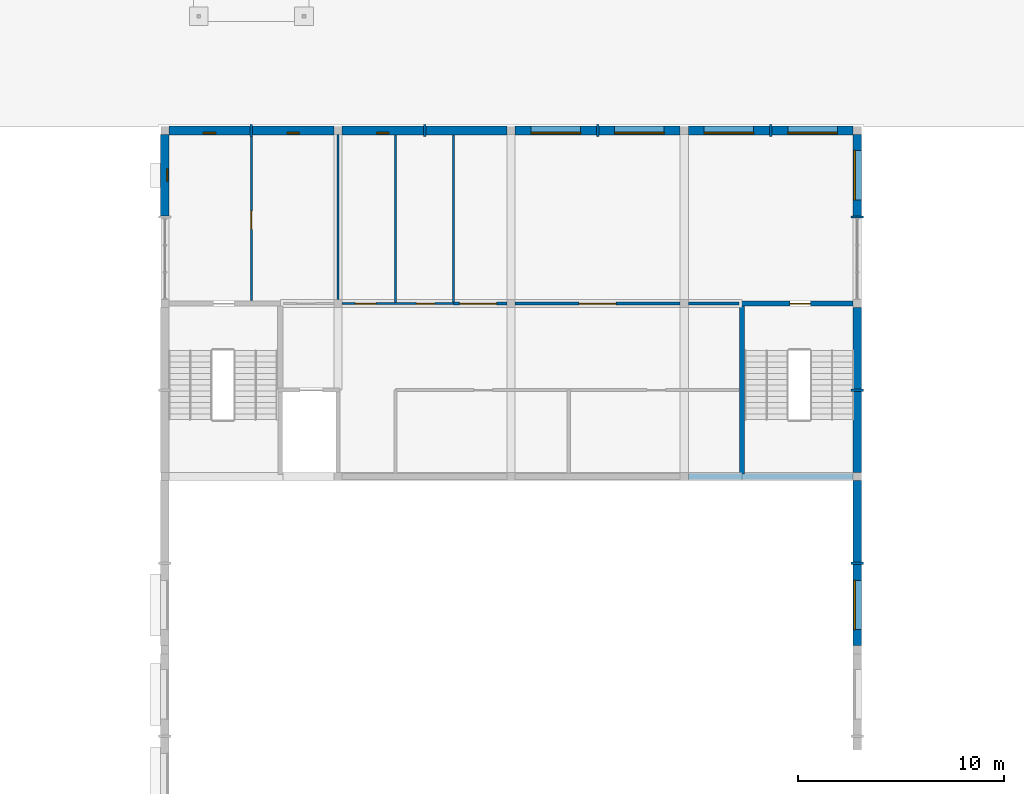
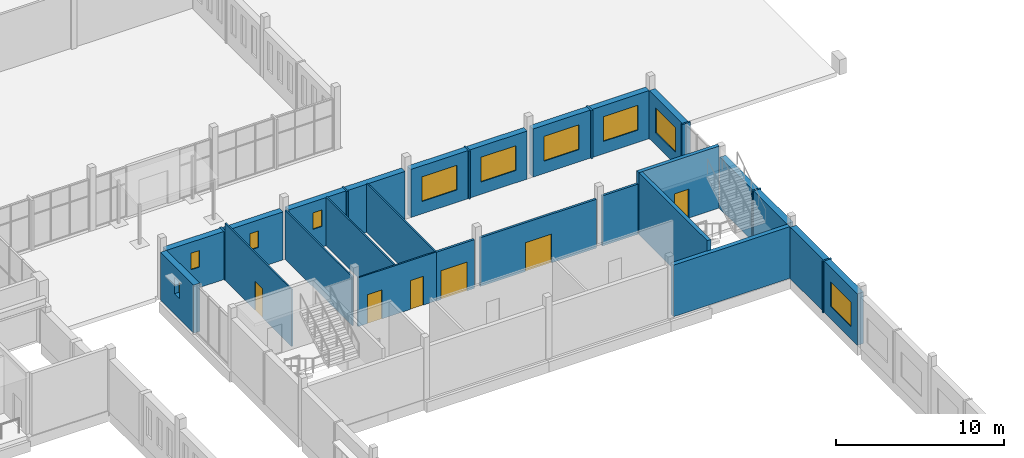
# One storey, part 46 of 60: 32 walls, 10 windows, 6 doors, 16 openings.
"""IFC4 building model written with IfcOpenShell, lengths in metres."""

from ifc_helpers import new_model, si_unit, direction, frame, frame_2d, origin, place, context, subcontext, project, spatial, rectangle, extrude, material, layer, layer_set, type_object, element, fill, save


model = new_model("IFC4")

# Units and contexts
model_context = context("Model", 3, precision=1e-05, world=origin(), true_north=direction((0.0, 1.0)))
body_context = subcontext(model_context, "Body", "Model", "MODEL_VIEW")
ifc_project = project(units=[si_unit("LENGTHUNIT", "METRE"), si_unit("AREAUNIT", "SQUARE_METRE"), si_unit("VOLUMEUNIT", "CUBIC_METRE"), si_unit("PLANEANGLEUNIT", "RADIAN"), si_unit("MASSUNIT", "GRAM", prefix="KILO")], contexts=[model_context])

# Site, building, storey
site_placement = place(None, origin())
site = spatial("IfcSite", under=ifc_project, at=site_placement, CompositionType="ELEMENT")
building_placement = place(site_placement, origin())
building = spatial("IfcBuilding", under=site, at=building_placement, Name="Fescue Hill Polytechnic", CompositionType="ELEMENT")
storey_placement = place(building_placement, frame((0.0, 0.0, 4.5)))
storey = spatial("IfcBuildingStorey", under=building, at=storey_placement, Name="L01", CompositionType="ELEMENT", Elevation=4.5)

# Wall, opening, door
ifc_material_1 = material(Name="Concrete 40 MPa", Category="concrete")
ifc_layer_1 = layer(ifc_material_1, 0.25)
ifc_layer_set_1 = layer_set([ifc_layer_1], Name="Concrete 40 MPa")
wall_type_1 = type_object("IfcWallType", Name="Core wall 250", PredefinedType="SHEAR", material=ifc_layer_set_1)
wall_1_placement = place(storey_placement, frame((153.875, 42.0, 0.0), z_axis=(0.0, 0.0, 1.0), x_axis=(1.0, 0.0, 0.0)))
wall_1 = element("IfcWall", 1, at=wall_1_placement, inside=storey, type_object=wall_type_1, Name="CW-L01-ST-V3-2-21", PredefinedType="SHEAR", context=body_context, shape_type="SweptSolid", body=[
    extrude(rectangle(XDim=5.52490234375, YDim=0.25, at=frame_2d((2.762451171875, 0.0))), origin(), (0.0, 0.0, 1.0), 4.5),
])
opening_1_placement = place(wall_1_placement, frame((2.449951171875, 0.0, 0.0)))
opening_1 = element("IfcOpeningElement", 2, at=opening_1_placement, cuts=wall_1, Name="Opening D1087", PredefinedType="OPENING", context=body_context, shape_type="SweptSolid", body=[
    extrude(rectangle(XDim=1.0, YDim=2.10009765625, at=frame_2d((0.5, 1.050048828125))), frame((0.0, 0.135009765625, 0.0), z_axis=(0.0, -1.0, 0.0), x_axis=(1.0, 0.0, 0.0)), (0.0, 0.0, 1.0), 0.27001953125),
])
ifc_material_2 = material(Name="Steel fire door", Category="steel")
door_type_1 = type_object("IfcDoorType", Name="Door single swing 1000x2100 stair fire rated", OperationType="NOTDEFINED", PredefinedType="DOOR", material=ifc_material_2)
door_1_placement = place(opening_1_placement, origin())
door_1 = element("IfcDoor", 3, at=door_1_placement, inside=storey, type_object=door_type_1, Name="L01 ST-V3-2 stair door", OperationType="SINGLE_SWING_RIGHT", OverallHeight=2.10009765625, OverallWidth=1.0, PredefinedType="DOOR", context=body_context, shape_type="SweptSolid", body=[
    extrude(rectangle(XDim=1.0, YDim=2.10009765625, at=frame_2d((0.5, 1.050048828125))), frame((0.0, 0.02490234375, 0.0), z_axis=(0.0, -1.0, 0.0), x_axis=(1.0, 0.0, 0.0)), (0.0, 0.0, 1.0), 0.050048828125),
])
fill(opening_1, door_1)

# Wall
wall_2_placement = place(storey_placement, frame((154.0, 33.72509765625, 0.0), z_axis=(0.0, 0.0, 1.0), x_axis=(0.0, 1.0, 0.0)))
element("IfcWall", 4, at=wall_2_placement, inside=storey, type_object=wall_type_1, Name="CW-L01-ST-V3-2-31", PredefinedType="SHEAR", context=body_context, shape_type="SweptSolid", body=[
    extrude(rectangle(XDim=8.14990234375, YDim=0.25, at=frame_2d((4.074951171875, 0.0))), origin(), (0.0, 0.0, 1.0), 4.5),
])

# Wall, opening, door
ifc_material_3 = material(Name="Gypsum board partition")
ifc_layer_2 = layer(ifc_material_3, 0.14990234375)
ifc_layer_set_2 = layer_set([ifc_layer_2], Name="Gypsum board partition")
wall_type_2 = type_object("IfcWallType", Name="Corridor wall 150 EI 45", PredefinedType="PARTITIONING", material=ifc_layer_set_2)
wall_3_placement = place(storey_placement, frame((140.0, 42.0, 0.0), z_axis=(0.0, 0.0, 1.0), x_axis=(1.0, 0.0, 0.0)))
wall_3 = element("IfcWall", 5, at=wall_3_placement, inside=storey, type_object=wall_type_2, Name="IW-L01-023", PredefinedType="PARTITIONING", context=body_context, shape_type="SweptSolid", body=[
    extrude(rectangle(XDim=2.60009765625, YDim=0.14990234375, at=frame_2d((1.300048828125, 0.0))), origin(), (0.0, 0.0, 1.0), 3.550048828125),
])
opening_2_placement = place(wall_3_placement, frame((0.300048828125, 0.0, 0.0)))
opening_2 = element("IfcOpeningElement", 6, at=opening_2_placement, cuts=wall_3, Name="Opening D1052", PredefinedType="OPENING", context=body_context, shape_type="SweptSolid", body=[
    extrude(rectangle(XDim=1.800048828125, YDim=2.10009765625, at=frame_2d((0.89990234375, 1.050048828125))), frame((0.0, 0.0849609375, 0.0), z_axis=(0.0, -1.0, 0.0), x_axis=(1.0, 0.0, 0.0)), (0.0, 0.0, 1.0), 0.169921875),
])
ifc_material_4 = material(Name="Timber", Category="wood")
door_type_2 = type_object("IfcDoorType", Name="Door double swing 1800x2100 FD30S", OperationType="DOUBLE_DOOR_SINGLE_SWING", PredefinedType="DOOR", material=ifc_material_4)
door_2_placement = place(opening_2_placement, origin())
door_2 = element("IfcDoor", 7, at=door_2_placement, inside=storey, type_object=door_type_2, Name="Door D1052", OperationType="DOUBLE_DOOR_SINGLE_SWING", OverallHeight=2.10009765625, OverallWidth=1.800048828125, PredefinedType="DOOR", context=body_context, shape_type="SweptSolid", body=[
    extrude(rectangle(XDim=1.800048828125, YDim=2.10009765625, at=frame_2d((0.89990234375, 1.050048828125))), frame((0.0, 0.02490234375, 0.0), z_axis=(0.0, -1.0, 0.0), x_axis=(1.0, 0.0, 0.0)), (0.0, 0.0, 1.0), 0.050048828125),
])
fill(opening_2, door_2)

wall_4_placement = place(storey_placement, frame((143.0, 42.0, 0.0), z_axis=(0.0, 0.0, 1.0), x_axis=(1.0, 0.0, 0.0)))
wall_4 = element("IfcWall", 8, at=wall_4_placement, inside=storey, type_object=wall_type_2, Name="IW-L01-024", PredefinedType="PARTITIONING", context=body_context, shape_type="SweptSolid", body=[
    extrude(rectangle(XDim=8.0, YDim=0.14990234375, at=frame_2d((4.0, 0.0))), origin(), (0.0, 0.0, 1.0), 3.550048828125),
])
opening_3_placement = place(wall_4_placement, frame((3.10009765625, 0.0, 0.0)))
opening_3 = element("IfcOpeningElement", 9, at=opening_3_placement, cuts=wall_4, Name="Opening D1051", PredefinedType="OPENING", context=body_context, shape_type="SweptSolid", body=[
    extrude(rectangle(XDim=1.800048828125, YDim=2.10009765625, at=frame_2d((0.89990234375, 1.050048828125))), frame((0.0, 0.0849609375, 0.0), z_axis=(0.0, -1.0, 0.0), x_axis=(1.0, 0.0, 0.0)), (0.0, 0.0, 1.0), 0.169921875),
])
door_3_placement = place(opening_3_placement, origin())
door_3 = element("IfcDoor", 10, at=door_3_placement, inside=storey, type_object=door_type_2, Name="Door D1051", OperationType="DOUBLE_DOOR_SINGLE_SWING", OverallHeight=2.10009765625, OverallWidth=1.800048828125, PredefinedType="DOOR", context=body_context, shape_type="SweptSolid", body=[
    extrude(rectangle(XDim=1.800048828125, YDim=2.10009765625, at=frame_2d((0.89990234375, 1.050048828125))), frame((0.0, 0.02490234375, 0.0), z_axis=(0.0, -1.0, 0.0), x_axis=(1.0, 0.0, 0.0)), (0.0, 0.0, 1.0), 0.050048828125),
])
fill(opening_3, door_3)

# Wall
wall_5_placement = place(storey_placement, frame((151.39990234375, 42.0, 0.0), z_axis=(0.0, 0.0, 1.0), x_axis=(1.0, 0.0, 0.0)))
element("IfcWall", 11, at=wall_5_placement, inside=storey, type_object=wall_type_2, Name="IW-L01-025", PredefinedType="PARTITIONING", context=body_context, shape_type="SweptSolid", body=[
    extrude(rectangle(XDim=2.4501953125, YDim=0.14990234375, at=frame_2d((1.22509765625, 0.0))), origin(), (0.0, 0.0, 1.0), 3.64990234375),
])

# Wall, opening, window
ifc_material_5 = material(Name="Clay brick masonry", Category="masonry")
ifc_layer_3 = layer(ifc_material_5, 0.419921875)
ifc_layer_set_3 = layer_set([ifc_layer_3], Name="Clay brick masonry")
wall_type_3 = type_object("IfcWallType", Name="Exterior wall buff-red brick cavity 420", PredefinedType="SOLIDWALL", material=ifc_layer_set_3)
wall_6_placement = place(storey_placement, frame((126.0, 50.199951171875, 0.0), z_axis=(0.0, 0.0, 1.0), x_axis=(0.0, -1.0, 0.0)))
wall_6 = element("IfcWall", 12, at=wall_6_placement, inside=storey, type_object=wall_type_3, Name="EW-L01-V3-1", PredefinedType="SOLIDWALL", context=body_context, shape_type="SweptSolid", body=[
    extrude(rectangle(XDim=3.93994140625, YDim=0.419921875, at=frame_2d((1.969970703125, 0.0))), origin(), (0.0, 0.0, 1.0), 3.5),
])
opening_4_placement = place(wall_6_placement, frame((1.669921875, 0.0, 1.5)))
opening_4 = element("IfcOpeningElement", 13, at=opening_4_placement, cuts=wall_6, Name="Opening W11", PredefinedType="OPENING", context=body_context, shape_type="SweptSolid", body=[
    extrude(rectangle(XDim=0.60009765625, YDim=1.199951171875, at=frame_2d((0.300048828125, 0.60009765625))), frame((0.0, 0.219970703125, 0.0), z_axis=(0.0, -1.0, 0.0), x_axis=(1.0, 0.0, 0.0)), (0.0, 0.0, 1.0), 0.43994140625),
])
ifc_material_6 = material(Name="Powder-coated aluminium and glass", Category="aluminium")
window_type_1 = type_object("IfcWindowType", Name="Window WC high-level 600x1200", PartitioningType="SINGLE_PANEL", PredefinedType="WINDOW", material=ifc_material_6)
window_1_placement = place(opening_4_placement, origin())
window_1 = element("IfcWindow", 14, at=window_1_placement, inside=storey, type_object=window_type_1, Name="WN-L01-V3-1", OverallHeight=1.199951171875, OverallWidth=0.60009765625, PartitioningType="SINGLE_PANEL", PredefinedType="WINDOW", context=body_context, shape_type="SweptSolid", body=[
    extrude(rectangle(XDim=0.60009765625, YDim=1.199951171875, at=frame_2d((0.300048828125, 0.60009765625))), frame((0.0, 0.150146484375, 0.0), z_axis=(0.0, -1.0, 0.0), x_axis=(1.0, 0.0, 0.0)), (0.0, 0.0, 1.0), 0.06005859375),
])
fill(opening_4, window_1)

wall_7_placement = place(storey_placement, frame((159.60009765625, 46.260009765625, 0.0), z_axis=(0.0, 0.0, 1.0), x_axis=(0.0, 1.0, 0.0)))
wall_7 = element("IfcWall", 15, at=wall_7_placement, inside=storey, type_object=wall_type_3, Name="EW-L01-V3-12", PredefinedType="SOLIDWALL", context=body_context, shape_type="SweptSolid", body=[
    extrude(rectangle(XDim=3.93994140625, YDim=0.419921875, at=frame_2d((1.969970703125, 0.0))), origin(), (0.0, 0.0, 1.0), 3.5),
])
opening_5_placement = place(wall_7_placement, frame((0.77001953125, 0.0, 0.89990234375)))
opening_5 = element("IfcOpeningElement", 16, at=opening_5_placement, cuts=wall_7, Name="Opening W8", PredefinedType="OPENING", context=body_context, shape_type="SweptSolid", body=[
    extrude(rectangle(XDim=2.39990234375, YDim=1.800048828125, at=frame_2d((1.199951171875, 0.89990234375))), frame((0.0, 0.219970703125, 0.0), z_axis=(0.0, -1.0, 0.0), x_axis=(1.0, 0.0, 0.0)), (0.0, 0.0, 1.0), 0.43994140625),
])
window_type_2 = type_object("IfcWindowType", Name="Window union 2400x1800", PartitioningType="TRIPLE_PANEL_VERTICAL", PredefinedType="WINDOW", material=ifc_material_6)
window_2_placement = place(opening_5_placement, origin())
window_2 = element("IfcWindow", 17, at=window_2_placement, inside=storey, type_object=window_type_2, Name="WN-L01-V3-2", OverallHeight=1.800048828125, OverallWidth=2.39990234375, PartitioningType="SINGLE_PANEL", PredefinedType="WINDOW", context=body_context, shape_type="SweptSolid", body=[
    extrude(rectangle(XDim=2.39990234375, YDim=1.800048828125, at=frame_2d((1.199951171875, 0.89990234375))), frame((0.0, 0.150146484375, 0.0), z_axis=(0.0, -1.0, 0.0), x_axis=(1.0, 0.0, 0.0)), (0.0, 0.0, 1.0), 0.06005859375),
])
fill(opening_5, window_2)

wall_8_placement = place(storey_placement, frame((159.39990234375, 50.39990234375, 0.0), z_axis=(0.0, 0.0, 1.0), x_axis=(-1.0, 0.0, 0.0)))
wall_8 = element("IfcWall", 18, at=wall_8_placement, inside=storey, type_object=wall_type_3, Name="EW-L01-V3-13", PredefinedType="SOLIDWALL", context=body_context, shape_type="SweptSolid", body=[
    extrude(rectangle(XDim=3.93994140625, YDim=0.419921875, at=frame_2d((1.969970703125, 0.0))), origin(), (0.0, 0.0, 1.0), 3.5),
])
opening_6_placement = place(wall_8_placement, frame((0.77001953125, 0.0, 0.89990234375)))
opening_6 = element("IfcOpeningElement", 19, at=opening_6_placement, cuts=wall_8, Name="Opening W8", PredefinedType="OPENING", context=body_context, shape_type="SweptSolid", body=[
    extrude(rectangle(XDim=2.39990234375, YDim=1.800048828125, at=frame_2d((1.199951171875, 0.89990234375))), frame((0.0, 0.219970703125, 0.0), z_axis=(0.0, -1.0, 0.0), x_axis=(1.0, 0.0, 0.0)), (0.0, 0.0, 1.0), 0.43994140625),
])
window_3_placement = place(opening_6_placement, origin())
window_3 = element("IfcWindow", 20, at=window_3_placement, inside=storey, type_object=window_type_2, Name="WN-L01-V3-3", OverallHeight=1.800048828125, OverallWidth=2.39990234375, PartitioningType="SINGLE_PANEL", PredefinedType="WINDOW", context=body_context, shape_type="SweptSolid", body=[
    extrude(rectangle(XDim=2.39990234375, YDim=1.800048828125, at=frame_2d((1.199951171875, 0.89990234375))), frame((0.0, 0.150146484375, 0.0), z_axis=(0.0, -1.0, 0.0), x_axis=(1.0, 0.0, 0.0)), (0.0, 0.0, 1.0), 0.06005859375),
])
fill(opening_6, window_3)

wall_9_placement = place(storey_placement, frame((155.340087890625, 50.39990234375, 0.0), z_axis=(0.0, 0.0, 1.0), x_axis=(-1.0, 0.0, 0.0)))
wall_9 = element("IfcWall", 21, at=wall_9_placement, inside=storey, type_object=wall_type_3, Name="EW-L01-V3-14", PredefinedType="SOLIDWALL", context=body_context, shape_type="SweptSolid", body=[
    extrude(rectangle(XDim=3.940185546875, YDim=0.419921875, at=frame_2d((1.97021484375, 0.0))), origin(), (0.0, 0.0, 1.0), 3.5),
])
opening_7_placement = place(wall_9_placement, frame((0.77001953125, 0.0, 0.89990234375)))
opening_7 = element("IfcOpeningElement", 22, at=opening_7_placement, cuts=wall_9, Name="Opening W8", PredefinedType="OPENING", context=body_context, shape_type="SweptSolid", body=[
    extrude(rectangle(XDim=2.39990234375, YDim=1.800048828125, at=frame_2d((1.199951171875, 0.89990234375))), frame((0.0, 0.219970703125, 0.0), z_axis=(0.0, -1.0, 0.0), x_axis=(1.0, 0.0, 0.0)), (0.0, 0.0, 1.0), 0.43994140625),
])
window_4_placement = place(opening_7_placement, origin())
window_4 = element("IfcWindow", 23, at=window_4_placement, inside=storey, type_object=window_type_2, Name="WN-L01-V3-4", OverallHeight=1.800048828125, OverallWidth=2.39990234375, PartitioningType="SINGLE_PANEL", PredefinedType="WINDOW", context=body_context, shape_type="SweptSolid", body=[
    extrude(rectangle(XDim=2.39990234375, YDim=1.800048828125, at=frame_2d((1.199951171875, 0.89990234375))), frame((0.0, 0.150146484375, 0.0), z_axis=(0.0, -1.0, 0.0), x_axis=(1.0, 0.0, 0.0)), (0.0, 0.0, 1.0), 0.06005859375),
])
fill(opening_7, window_4)

wall_10_placement = place(storey_placement, frame((151.0, 50.39990234375, 0.0), z_axis=(0.0, 0.0, 1.0), x_axis=(-1.0, 0.0, 0.0)))
wall_10 = element("IfcWall", 24, at=wall_10_placement, inside=storey, type_object=wall_type_3, Name="EW-L01-V3-15", PredefinedType="SOLIDWALL", context=body_context, shape_type="SweptSolid", body=[
    extrude(rectangle(XDim=3.93994140625, YDim=0.419921875, at=frame_2d((1.969970703125, 0.0))), origin(), (0.0, 0.0, 1.0), 3.5),
])
opening_8_placement = place(wall_10_placement, frame((0.77001953125, 0.0, 0.89990234375)))
opening_8 = element("IfcOpeningElement", 25, at=opening_8_placement, cuts=wall_10, Name="Opening W8", PredefinedType="OPENING", context=body_context, shape_type="SweptSolid", body=[
    extrude(rectangle(XDim=2.39990234375, YDim=1.800048828125, at=frame_2d((1.199951171875, 0.89990234375))), frame((0.0, 0.219970703125, 0.0), z_axis=(0.0, -1.0, 0.0), x_axis=(1.0, 0.0, 0.0)), (0.0, 0.0, 1.0), 0.43994140625),
])
window_5_placement = place(opening_8_placement, origin())
window_5 = element("IfcWindow", 26, at=window_5_placement, inside=storey, type_object=window_type_2, Name="WN-L01-V3-5", OverallHeight=1.800048828125, OverallWidth=2.39990234375, PartitioningType="SINGLE_PANEL", PredefinedType="WINDOW", context=body_context, shape_type="SweptSolid", body=[
    extrude(rectangle(XDim=2.39990234375, YDim=1.800048828125, at=frame_2d((1.199951171875, 0.89990234375))), frame((0.0, 0.150146484375, 0.0), z_axis=(0.0, -1.0, 0.0), x_axis=(1.0, 0.0, 0.0)), (0.0, 0.0, 1.0), 0.06005859375),
])
fill(opening_8, window_5)

wall_11_placement = place(storey_placement, frame((146.93994140625, 50.39990234375, 0.0), z_axis=(0.0, 0.0, 1.0), x_axis=(-1.0, 0.0, 0.0)))
wall_11 = element("IfcWall", 27, at=wall_11_placement, inside=storey, type_object=wall_type_3, Name="EW-L01-V3-16", PredefinedType="SOLIDWALL", context=body_context, shape_type="SweptSolid", body=[
    extrude(rectangle(XDim=3.93994140625, YDim=0.419921875, at=frame_2d((1.969970703125, 0.0))), origin(), (0.0, 0.0, 1.0), 3.5),
])
opening_9_placement = place(wall_11_placement, frame((0.77001953125, 0.0, 0.89990234375)))
opening_9 = element("IfcOpeningElement", 28, at=opening_9_placement, cuts=wall_11, Name="Opening W8", PredefinedType="OPENING", context=body_context, shape_type="SweptSolid", body=[
    extrude(rectangle(XDim=2.39990234375, YDim=1.800048828125, at=frame_2d((1.199951171875, 0.89990234375))), frame((0.0, 0.219970703125, 0.0), z_axis=(0.0, -1.0, 0.0), x_axis=(1.0, 0.0, 0.0)), (0.0, 0.0, 1.0), 0.43994140625),
])
window_6_placement = place(opening_9_placement, origin())
window_6 = element("IfcWindow", 29, at=window_6_placement, inside=storey, type_object=window_type_2, Name="WN-L01-V3-6", OverallHeight=1.800048828125, OverallWidth=2.39990234375, PartitioningType="SINGLE_PANEL", PredefinedType="WINDOW", context=body_context, shape_type="SweptSolid", body=[
    extrude(rectangle(XDim=2.39990234375, YDim=1.800048828125, at=frame_2d((1.199951171875, 0.89990234375))), frame((0.0, 0.150146484375, 0.0), z_axis=(0.0, -1.0, 0.0), x_axis=(1.0, 0.0, 0.0)), (0.0, 0.0, 1.0), 0.06005859375),
])
fill(opening_9, window_6)

# Wall
wall_12_placement = place(storey_placement, frame((142.60009765625, 50.39990234375, 0.0), z_axis=(0.0, 0.0, 1.0), x_axis=(-1.0, 0.0, 0.0)))
element("IfcWall", 30, at=wall_12_placement, inside=storey, type_object=wall_type_3, Name="EW-L01-V3-17", PredefinedType="SOLIDWALL", context=body_context, shape_type="SweptSolid", body=[
    extrude(rectangle(XDim=3.940185546875, YDim=0.419921875, at=frame_2d((1.97021484375, 0.0))), origin(), (0.0, 0.0, 1.0), 3.5),
])

# Wall, opening, window
wall_13_placement = place(storey_placement, frame((138.5400390625, 50.39990234375, 0.0), z_axis=(0.0, 0.0, 1.0), x_axis=(-1.0, 0.0, 0.0)))
wall_13 = element("IfcWall", 31, at=wall_13_placement, inside=storey, type_object=wall_type_3, Name="EW-L01-V3-18", PredefinedType="SOLIDWALL", context=body_context, shape_type="SweptSolid", body=[
    extrude(rectangle(XDim=3.93994140625, YDim=0.419921875, at=frame_2d((1.969970703125, 0.0))), origin(), (0.0, 0.0, 1.0), 3.5),
])
opening_10_placement = place(wall_13_placement, frame((1.669921875, 0.0, 1.5)))
opening_10 = element("IfcOpeningElement", 32, at=opening_10_placement, cuts=wall_13, Name="Opening W11", PredefinedType="OPENING", context=body_context, shape_type="SweptSolid", body=[
    extrude(rectangle(XDim=0.60009765625, YDim=1.199951171875, at=frame_2d((0.300048828125, 0.60009765625))), frame((0.0, 0.219970703125, 0.0), z_axis=(0.0, -1.0, 0.0), x_axis=(1.0, 0.0, 0.0)), (0.0, 0.0, 1.0), 0.43994140625),
])
window_7_placement = place(opening_10_placement, origin())
window_7 = element("IfcWindow", 33, at=window_7_placement, inside=storey, type_object=window_type_1, Name="WN-L01-V3-7", OverallHeight=1.199951171875, OverallWidth=0.60009765625, PartitioningType="SINGLE_PANEL", PredefinedType="WINDOW", context=body_context, shape_type="SweptSolid", body=[
    extrude(rectangle(XDim=0.60009765625, YDim=1.199951171875, at=frame_2d((0.300048828125, 0.60009765625))), frame((0.0, 0.150146484375, 0.0), z_axis=(0.0, -1.0, 0.0), x_axis=(1.0, 0.0, 0.0)), (0.0, 0.0, 1.0), 0.06005859375),
])
fill(opening_10, window_7)

wall_14_placement = place(storey_placement, frame((134.199951171875, 50.39990234375, 0.0), z_axis=(0.0, 0.0, 1.0), x_axis=(-1.0, 0.0, 0.0)))
wall_14 = element("IfcWall", 34, at=wall_14_placement, inside=storey, type_object=wall_type_3, Name="EW-L01-V3-19", PredefinedType="SOLIDWALL", context=body_context, shape_type="SweptSolid", body=[
    extrude(rectangle(XDim=3.93994140625, YDim=0.419921875, at=frame_2d((1.969970703125, 0.0))), origin(), (0.0, 0.0, 1.0), 3.5),
])
opening_11_placement = place(wall_14_placement, frame((1.669921875, 0.0, 1.5)))
opening_11 = element("IfcOpeningElement", 35, at=opening_11_placement, cuts=wall_14, Name="Opening W11", PredefinedType="OPENING", context=body_context, shape_type="SweptSolid", body=[
    extrude(rectangle(XDim=0.60009765625, YDim=1.199951171875, at=frame_2d((0.300048828125, 0.60009765625))), frame((0.0, 0.219970703125, 0.0), z_axis=(0.0, -1.0, 0.0), x_axis=(1.0, 0.0, 0.0)), (0.0, 0.0, 1.0), 0.43994140625),
])
window_8_placement = place(opening_11_placement, origin())
window_8 = element("IfcWindow", 36, at=window_8_placement, inside=storey, type_object=window_type_1, Name="WN-L01-V3-8", OverallHeight=1.199951171875, OverallWidth=0.60009765625, PartitioningType="SINGLE_PANEL", PredefinedType="WINDOW", context=body_context, shape_type="SweptSolid", body=[
    extrude(rectangle(XDim=0.60009765625, YDim=1.199951171875, at=frame_2d((0.300048828125, 0.60009765625))), frame((0.0, 0.150146484375, 0.0), z_axis=(0.0, -1.0, 0.0), x_axis=(1.0, 0.0, 0.0)), (0.0, 0.0, 1.0), 0.06005859375),
])
fill(opening_11, window_8)

wall_15_placement = place(storey_placement, frame((130.139892578125, 50.39990234375, 0.0), z_axis=(0.0, 0.0, 1.0), x_axis=(-1.0, 0.0, 0.0)))
wall_15 = element("IfcWall", 37, at=wall_15_placement, inside=storey, type_object=wall_type_3, Name="EW-L01-V3-20", PredefinedType="SOLIDWALL", context=body_context, shape_type="SweptSolid", body=[
    extrude(rectangle(XDim=3.93994140625, YDim=0.419921875, at=frame_2d((1.969970703125, 0.0))), origin(), (0.0, 0.0, 1.0), 3.5),
])
opening_12_placement = place(wall_15_placement, frame((1.669921875, 0.0, 1.5)))
opening_12 = element("IfcOpeningElement", 38, at=opening_12_placement, cuts=wall_15, Name="Opening W11", PredefinedType="OPENING", context=body_context, shape_type="SweptSolid", body=[
    extrude(rectangle(XDim=0.60009765625, YDim=1.199951171875, at=frame_2d((0.300048828125, 0.60009765625))), frame((0.0, 0.219970703125, 0.0), z_axis=(0.0, -1.0, 0.0), x_axis=(1.0, 0.0, 0.0)), (0.0, 0.0, 1.0), 0.43994140625),
])
window_9_placement = place(opening_12_placement, origin())
window_9 = element("IfcWindow", 39, at=window_9_placement, inside=storey, type_object=window_type_1, Name="WN-L01-V3-9", OverallHeight=1.199951171875, OverallWidth=0.60009765625, PartitioningType="SINGLE_PANEL", PredefinedType="WINDOW", context=body_context, shape_type="SweptSolid", body=[
    extrude(rectangle(XDim=0.60009765625, YDim=1.199951171875, at=frame_2d((0.300048828125, 0.60009765625))), frame((0.0, 0.150146484375, 0.0), z_axis=(0.0, -1.0, 0.0), x_axis=(1.0, 0.0, 0.0)), (0.0, 0.0, 1.0), 0.06005859375),
])
fill(opening_12, window_9)

wall_16_placement = place(storey_placement, frame((159.60009765625, 25.39990234375, 0.0), z_axis=(0.0, 0.0, 1.0), x_axis=(0.0, 1.0, 0.0)))
wall_16 = element("IfcWall", 40, at=wall_16_placement, inside=storey, type_object=wall_type_3, Name="EW-L01-V3-31", PredefinedType="SOLIDWALL", context=body_context, shape_type="SweptSolid", body=[
    extrude(rectangle(XDim=3.940185546875, YDim=0.419921875, at=frame_2d((1.97021484375, 0.0))), origin(), (0.0, 0.0, 1.0), 3.75),
])
opening_13_placement = place(wall_16_placement, frame((0.77001953125, 0.0, 0.89990234375)))
opening_13 = element("IfcOpeningElement", 41, at=opening_13_placement, cuts=wall_16, Name="Opening W8", PredefinedType="OPENING", context=body_context, shape_type="SweptSolid", body=[
    extrude(rectangle(XDim=2.39990234375, YDim=1.800048828125, at=frame_2d((1.199951171875, 0.89990234375))), frame((0.0, 0.219970703125, 0.0), z_axis=(0.0, -1.0, 0.0), x_axis=(1.0, 0.0, 0.0)), (0.0, 0.0, 1.0), 0.43994140625),
])
window_10_placement = place(opening_13_placement, origin())
window_10 = element("IfcWindow", 42, at=window_10_placement, inside=storey, type_object=window_type_2, Name="WN-L01-V3-19", OverallHeight=1.800048828125, OverallWidth=2.39990234375, PartitioningType="SINGLE_PANEL", PredefinedType="WINDOW", context=body_context, shape_type="SweptSolid", body=[
    extrude(rectangle(XDim=2.39990234375, YDim=1.800048828125, at=frame_2d((1.199951171875, 0.89990234375))), frame((0.0, 0.150146484375, 0.0), z_axis=(0.0, -1.0, 0.0), x_axis=(1.0, 0.0, 0.0)), (0.0, 0.0, 1.0), 0.06005859375),
])
fill(opening_13, window_10)

# Walls
wall_17_placement = place(storey_placement, frame((159.60009765625, 29.4599609375, 0.0), z_axis=(0.0, 0.0, 1.0), x_axis=(0.0, 1.0, 0.0)))
element("IfcWall", 43, at=wall_17_placement, inside=storey, type_object=wall_type_3, Name="EW-L01-V3-32", PredefinedType="SOLIDWALL", context=body_context, shape_type="SweptSolid", body=[
    extrude(rectangle(XDim=3.93994140625, YDim=0.419921875, at=frame_2d((1.969970703125, 0.0))), origin(), (0.0, 0.0, 1.0), 3.75),
])
ifc_layer_4 = layer(ifc_material_5, 0.419921875)
ifc_layer_set_4 = layer_set([ifc_layer_4], Name="Clay brick masonry")
wall_type_4 = type_object("IfcWallType", Name="Exterior wall buff-red brick cavity 420 load-bearing", PredefinedType="SOLIDWALL", material=ifc_layer_set_4)
for number, where, z_axis, x_axis, name in (
    (44, (159.60009765625, 33.800048828125, 0.0), (0.0, 0.0, 1.0), (0.0, 1.0, 0.0), "EW-L01-V3-9"),
    (45, (159.60009765625, 37.860107421875, 0.0), (0.0, 0.0, 1.0), (0.0, 1.0, 0.0), "EW-L01-V3-10"),
):
    element("IfcWall", number, at=place(storey_placement, frame(where, z_axis=z_axis, x_axis=x_axis)), inside=storey, type_object=wall_type_4, Name=name, PredefinedType="SOLIDWALL", context=body_context, shape_type="SweptSolid", body=[
        extrude(rectangle(XDim=3.93994140625, YDim=0.419921875, at=frame_2d((1.969970703125, 0.0))), origin(), (0.0, 0.0, 1.0), 3.75),
    ])
ifc_layer_5 = layer(ifc_material_1, 0.300048828125)
ifc_layer_set_5 = layer_set([ifc_layer_5], Name="Concrete 40 MPa")
wall_type_5 = type_object("IfcWallType", Name="Hall wall concrete 300 load-bearing REI 120", PredefinedType="SOLIDWALL", material=ifc_layer_set_5)
wall_18_placement = place(storey_placement, frame((151.39990234375, 33.60009765625, 0.0), z_axis=(0.0, 0.0, 1.0), x_axis=(1.0, 0.0, 0.0)))
element("IfcWall", 46, at=wall_18_placement, inside=storey, type_object=wall_type_5, Name="EW-L01-V3-8", PredefinedType="SOLIDWALL", context=body_context, shape_type="SweptSolid", body=[
    extrude(rectangle(XDim=8.0, YDim=0.300048828125, at=frame_2d((4.0, 0.0))), origin(), (0.0, 0.0, 1.0), 3.75),
])
ifc_material_7 = material(Name="Glulam 24f-EX", Category="wood")
ifc_layer_6 = layer(ifc_material_7, 0.60009765625)
ifc_layer_set_6 = layer_set([ifc_layer_6], Name="Glulam 24f-EX")
wall_type_6 = type_object("IfcWallType", Name="Timber fin 120x600", PredefinedType="SOLIDWALL", material=ifc_layer_set_6)
wall_19_placement = place(storey_placement, frame((159.60009765625, 37.739990234375, 0.0), z_axis=(0.0, 0.0, 1.0), x_axis=(0.0, 1.0, 0.0)))
element("IfcWall", 47, at=wall_19_placement, inside=storey, type_object=wall_type_6, Name="PR-L01-V3-3", PredefinedType="SOLIDWALL", context=body_context, shape_type="SweptSolid", body=[
    extrude(rectangle(XDim=0.1201171875, YDim=0.60009765625, at=frame_2d((0.06005859375, 0.0))), origin(), (0.0, 0.0, 1.0), 3.75),
])
wall_20_placement = place(storey_placement, frame((159.60009765625, 46.139892578125, 0.0), z_axis=(0.0, 0.0, 1.0), x_axis=(0.0, 1.0, 0.0)))
element("IfcWall", 48, at=wall_20_placement, inside=storey, type_object=wall_type_6, Name="PR-L01-V3-4", PredefinedType="SOLIDWALL", context=body_context, shape_type="SweptSolid", body=[
    extrude(rectangle(XDim=0.1201171875, YDim=0.60009765625, at=frame_2d((0.06005859375, 0.0))), origin(), (0.0, 0.0, 1.0), 3.5),
])
wall_21_placement = place(storey_placement, frame((155.4599609375, 50.39990234375, 0.0), z_axis=(0.0, 0.0, 1.0), x_axis=(-1.0, 0.0, 0.0)))
element("IfcWall", 49, at=wall_21_placement, inside=storey, type_object=wall_type_6, Name="PR-L01-V3-5", PredefinedType="SOLIDWALL", context=body_context, shape_type="SweptSolid", body=[
    extrude(rectangle(XDim=0.119873046875, YDim=0.60009765625, at=frame_2d((0.06005859375, 0.0))), origin(), (0.0, 0.0, 1.0), 3.5),
])
wall_22_placement = place(storey_placement, frame((147.06005859375, 50.39990234375, 0.0), z_axis=(0.0, 0.0, 1.0), x_axis=(-1.0, 0.0, 0.0)))
element("IfcWall", 50, at=wall_22_placement, inside=storey, type_object=wall_type_6, Name="PR-L01-V3-6", PredefinedType="SOLIDWALL", context=body_context, shape_type="SweptSolid", body=[
    extrude(rectangle(XDim=0.1201171875, YDim=0.60009765625, at=frame_2d((0.06005859375, 0.0))), origin(), (0.0, 0.0, 1.0), 3.5),
])
wall_23_placement = place(storey_placement, frame((138.659912109375, 50.39990234375, 0.0), z_axis=(0.0, 0.0, 1.0), x_axis=(-1.0, 0.0, 0.0)))
element("IfcWall", 51, at=wall_23_placement, inside=storey, type_object=wall_type_6, Name="PR-L01-V3-7", PredefinedType="SOLIDWALL", context=body_context, shape_type="SweptSolid", body=[
    extrude(rectangle(XDim=0.119873046875, YDim=0.60009765625, at=frame_2d((0.06005859375, 0.0))), origin(), (0.0, 0.0, 1.0), 3.5),
])
wall_24_placement = place(storey_placement, frame((130.260009765625, 50.39990234375, 0.0), z_axis=(0.0, 0.0, 1.0), x_axis=(-1.0, 0.0, 0.0)))
element("IfcWall", 52, at=wall_24_placement, inside=storey, type_object=wall_type_6, Name="PR-L01-V3-8", PredefinedType="SOLIDWALL", context=body_context, shape_type="SweptSolid", body=[
    extrude(rectangle(XDim=0.1201171875, YDim=0.60009765625, at=frame_2d((0.06005859375, 0.0))), origin(), (0.0, 0.0, 1.0), 3.5),
])
wall_25_placement = place(storey_placement, frame((159.60009765625, 29.340087890625, 0.0), z_axis=(0.0, 0.0, 1.0), x_axis=(0.0, 1.0, 0.0)))
element("IfcWall", 53, at=wall_25_placement, inside=storey, type_object=wall_type_6, Name="PR-L01-V3-14", PredefinedType="SOLIDWALL", context=body_context, shape_type="SweptSolid", body=[
    extrude(rectangle(XDim=0.119873046875, YDim=0.60009765625, at=frame_2d((0.06005859375, 0.0))), origin(), (0.0, 0.0, 1.0), 3.75),
])

# Wall, openings, doors
ifc_layer_7 = layer(ifc_material_3, 0.10009765625)
ifc_layer_set_7 = layer_set([ifc_layer_7], Name="Gypsum board partition")
wall_type_7 = type_object("IfcWallType", Name="WC partition 100 moisture resistant", PredefinedType="PARTITIONING", material=ifc_layer_set_7)
wall_26_placement = place(storey_placement, frame((134.60009765625, 42.0, 0.0), z_axis=(0.0, 0.0, 1.0), x_axis=(1.0, 0.0, 0.0)))
wall_26 = element("IfcWall", 54, at=wall_26_placement, inside=storey, type_object=wall_type_7, Name="IW-L01-027", PredefinedType="PARTITIONING", context=body_context, shape_type="SweptSolid", body=[
    extrude(rectangle(XDim=5.39990234375, YDim=0.10009765625, at=frame_2d((2.699951171875, 0.0))), origin(), (0.0, 0.0, 1.0), 3.550048828125),
])
opening_14_placement = place(wall_26_placement, frame((0.64990234375, 0.0, 0.0)))
opening_14 = element("IfcOpeningElement", 55, at=opening_14_placement, cuts=wall_26, Name="Opening D1049", PredefinedType="OPENING", context=body_context, shape_type="SweptSolid", body=[
    extrude(rectangle(XDim=1.0, YDim=2.10009765625, at=frame_2d((0.5, 1.050048828125))), frame((0.0, 0.06005859375, 0.0), z_axis=(0.0, -1.0, 0.0), x_axis=(1.0, 0.0, 0.0)), (0.0, 0.0, 1.0), 0.1201171875),
])
opening_15_placement = place(wall_26_placement, frame((3.60009765625, 0.0, 0.0)))
opening_15 = element("IfcOpeningElement", 56, at=opening_15_placement, cuts=wall_26, Name="Opening D1050", PredefinedType="OPENING", context=body_context, shape_type="SweptSolid", body=[
    extrude(rectangle(XDim=0.89990234375, YDim=2.10009765625, at=frame_2d((0.449951171875, 1.050048828125))), frame((0.0, 0.06005859375, 0.0), z_axis=(0.0, -1.0, 0.0), x_axis=(1.0, 0.0, 0.0)), (0.0, 0.0, 1.0), 0.1201171875),
])
door_type_3 = type_object("IfcDoorType", Name="Door single swing 1000x2100 accessible WC", OperationType="SINGLE_SWING_LEFT", PredefinedType="DOOR", material=ifc_material_4)
door_4_placement = place(opening_14_placement, origin())
door_4 = element("IfcDoor", 57, at=door_4_placement, inside=storey, type_object=door_type_3, Name="Door D1049", OperationType="SINGLE_SWING_LEFT", OverallHeight=2.10009765625, OverallWidth=1.0, PredefinedType="DOOR", context=body_context, shape_type="SweptSolid", body=[
    extrude(rectangle(XDim=1.0, YDim=2.10009765625, at=frame_2d((0.5, 1.050048828125))), frame((0.0, 0.02490234375, 0.0), z_axis=(0.0, -1.0, 0.0), x_axis=(1.0, 0.0, 0.0)), (0.0, 0.0, 1.0), 0.050048828125),
])
fill(opening_14, door_4)
door_type_4 = type_object("IfcDoorType", Name="Door single swing 900x2100 store", OperationType="SINGLE_SWING_LEFT", PredefinedType="DOOR", material=ifc_material_4)
door_5_placement = place(opening_15_placement, origin())
door_5 = element("IfcDoor", 58, at=door_5_placement, inside=storey, type_object=door_type_4, Name="Door D1050", OperationType="SINGLE_SWING_RIGHT", OverallHeight=2.10009765625, OverallWidth=0.89990234375, PredefinedType="DOOR", context=body_context, shape_type="SweptSolid", body=[
    extrude(rectangle(XDim=0.89990234375, YDim=2.10009765625, at=frame_2d((0.449951171875, 1.050048828125))), frame((0.0, 0.02490234375, 0.0), z_axis=(0.0, -1.0, 0.0), x_axis=(1.0, 0.0, 0.0)), (0.0, 0.0, 1.0), 0.050048828125),
])
fill(opening_15, door_5)

# Wall, opening, door
wall_27_placement = place(storey_placement, frame((130.199951171875, 42.14990234375, 0.0), z_axis=(0.0, 0.0, 1.0), x_axis=(0.0, 1.0, 0.0)))
wall_27 = element("IfcWall", 59, at=wall_27_placement, inside=storey, type_object=wall_type_7, Name="IW-L01-103", PredefinedType="PARTITIONING", context=body_context, shape_type="SweptSolid", body=[
    extrude(rectangle(XDim=7.9501953125, YDim=0.10009765625, at=frame_2d((3.97509765625, 0.0))), origin(), (0.0, 0.0, 1.0), 4.14990234375),
])
opening_16_placement = place(wall_27_placement, frame((3.449951171875, 0.0, 0.0)))
opening_16 = element("IfcOpeningElement", 60, at=opening_16_placement, cuts=wall_27, Name="Opening D1047", PredefinedType="OPENING", context=body_context, shape_type="SweptSolid", body=[
    extrude(rectangle(XDim=0.89990234375, YDim=2.10009765625, at=frame_2d((0.449951171875, 1.050048828125))), frame((0.0, 0.06005859375, 0.0), z_axis=(0.0, -1.0, 0.0), x_axis=(1.0, 0.0, 0.0)), (0.0, 0.0, 1.0), 0.1201171875),
])
door_type_5 = type_object("IfcDoorType", Name="Door single swing 900x2100 WC", OperationType="SINGLE_SWING_LEFT", PredefinedType="DOOR", material=ifc_material_4)
door_6_placement = place(opening_16_placement, origin())
door_6 = element("IfcDoor", 61, at=door_6_placement, inside=storey, type_object=door_type_5, Name="Door D1047", OperationType="SINGLE_SWING_LEFT", OverallHeight=2.10009765625, OverallWidth=0.89990234375, PredefinedType="DOOR", context=body_context, shape_type="SweptSolid", body=[
    extrude(rectangle(XDim=0.89990234375, YDim=2.10009765625, at=frame_2d((0.449951171875, 1.050048828125))), frame((0.0, 0.02490234375, 0.0), z_axis=(0.0, -1.0, 0.0), x_axis=(1.0, 0.0, 0.0)), (0.0, 0.0, 1.0), 0.050048828125),
])
fill(opening_16, door_6)

# Walls
wall_28_placement = place(storey_placement, frame((134.39990234375, 42.199951171875, 0.0), z_axis=(0.0, 0.0, 1.0), x_axis=(0.0, 1.0, 0.0)))
element("IfcWall", 62, at=wall_28_placement, inside=storey, type_object=wall_type_7, Name="IW-L01-104", PredefinedType="PARTITIONING", context=body_context, shape_type="SweptSolid", body=[
    extrude(rectangle(XDim=8.0, YDim=0.10009765625, at=frame_2d((4.0, 0.0))), origin(), (0.0, 0.0, 1.0), 3.550048828125),
])
for number, where, z_axis, x_axis, name in (
    (63, (137.199951171875, 42.0, 0.0), (0.0, 0.0, 1.0), (0.0, 1.0, 0.0), "IW-L01-106"),
    (64, (140.0, 42.0, 0.0), (0.0, 0.0, 1.0), (0.0, 1.0, 0.0), "IW-L01-107"),
):
    element("IfcWall", number, at=place(storey_placement, frame(where, z_axis=z_axis, x_axis=x_axis)), inside=storey, type_object=wall_type_7, Name=name, PredefinedType="PARTITIONING", context=body_context, shape_type="SweptSolid", body=[
        extrude(rectangle(XDim=8.18994140625, YDim=0.10009765625, at=frame_2d((4.094970703125, 0.0))), origin(), (0.0, 0.0, 1.0), 3.550048828125),
    ])

save(model, "model.ifc")
